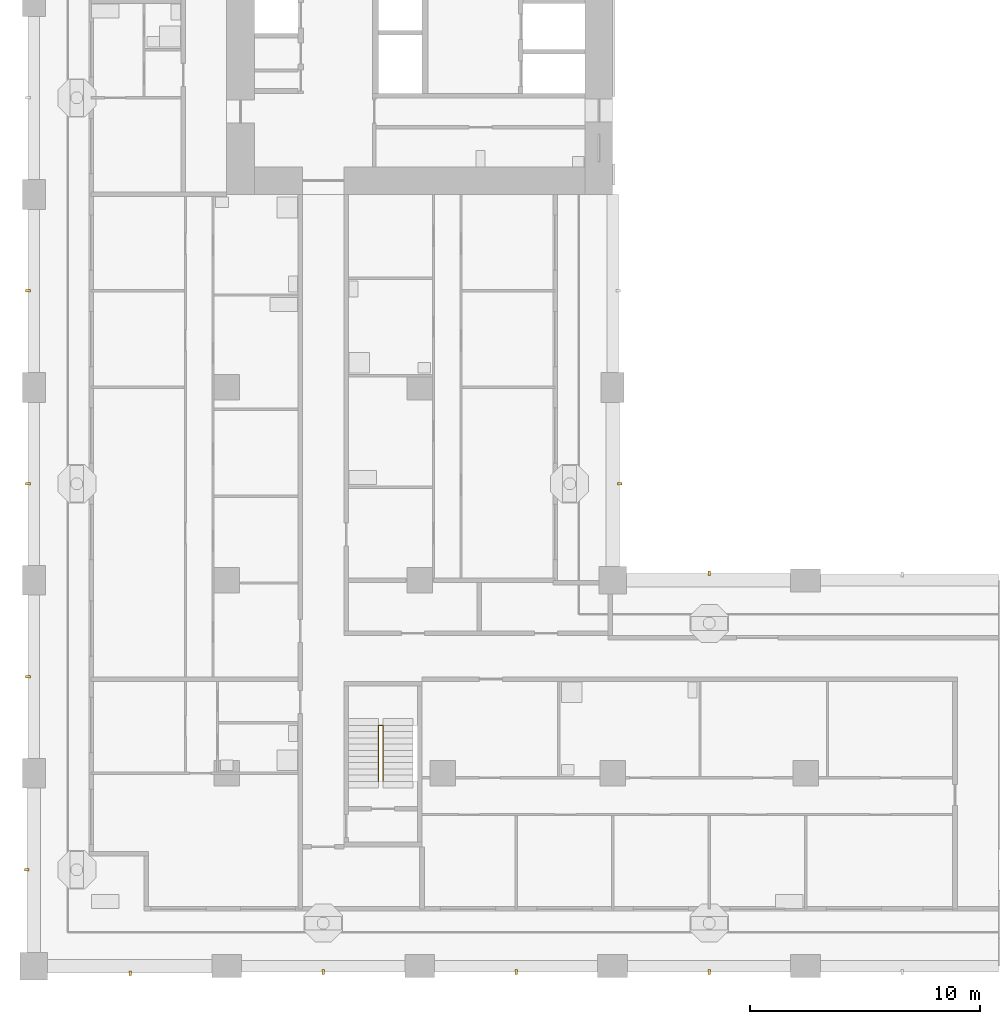
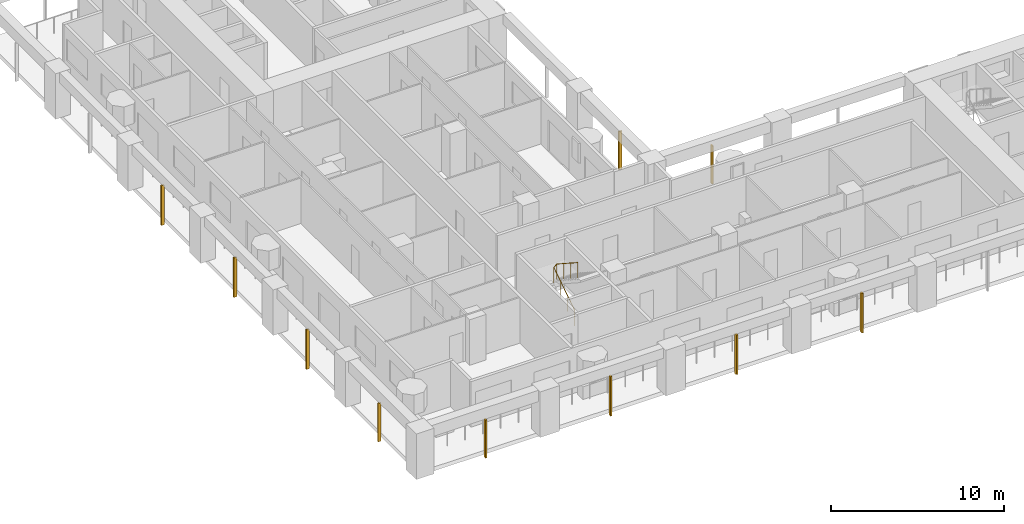
# One storey, part 9 of 18: 10 shading devices, 1 railing.
"""IFC4 building model written with IfcOpenShell, lengths in metres."""

from ifc_helpers import new_model, si_unit, direction, frame, origin, origin_2d, place, context, subcontext, project, spatial, rectangle, circle, extrude, material, material_profile, profile_set, type_object, element, save


model = new_model("IFC4")

# Units and contexts
model_context = context("Model", 3, precision=1e-05, world=origin(), true_north=direction((0.0, 1.0)))
body_context = subcontext(model_context, "Body", "Model", "MODEL_VIEW")
ifc_project = project(units=[si_unit("LENGTHUNIT", "METRE"), si_unit("AREAUNIT", "SQUARE_METRE"), si_unit("VOLUMEUNIT", "CUBIC_METRE"), si_unit("PLANEANGLEUNIT", "RADIAN"), si_unit("MASSUNIT", "GRAM", prefix="KILO")], contexts=[model_context])

# Site, building, storey
site_placement = place(None, origin())
site = spatial("IfcSite", under=ifc_project, at=site_placement, CompositionType="ELEMENT")
building_placement = place(site_placement, origin())
building = spatial("IfcBuilding", under=site, at=building_placement, Name="Vermilion Gate Residences", CompositionType="ELEMENT")
storey_placement = place(building_placement, frame((0.0, 0.0, 105.699951171875)))
storey = spatial("IfcBuildingStorey", under=building, at=storey_placement, Name="L26", CompositionType="ELEMENT", Elevation=105.699951171875)

# Railing
ifc_material_1 = material(Name="Steel S355", Category="steel")
railing_type = type_object("IfcRailingType", Name="STAIR GUARD 1100 STEEL", PredefinedType="GUARDRAIL", material=ifc_material_1)
railing_placement = place(storey_placement, frame((15.0, 16.449951171875, 0.175048828125)))
element("IfcRailing", 1, at=railing_placement, inside=storey, type_object=railing_type, Name="Stair well guard STC1-26", PredefinedType="GUARDRAIL", context=body_context, shape_type="SweptSolid", body=[
    extrude(circle(Radius=0.02392578125, at=origin_2d()), frame((0.0, 0.0, 1.076171875), z_axis=(0.0, 0.839153699163, 0.543894354798), x_axis=(-1.0, 0.0, 0.0)), (0.0, 0.0, 1.0), 2.895751953125),
    extrude(circle(Radius=0.02392578125, at=origin_2d()), frame((0.0, 2.429931640625, 2.65087890625), z_axis=(0.752405939678, 0.0, 0.658699705433), x_axis=(0.0, 1.0, 0.0)), (0.0, 0.0, 1.0), 0.265869140625),
    extrude(circle(Radius=0.02392578125, at=origin_2d()), frame((0.199951171875, 2.429931640625, 2.826171875), z_axis=(0.0, -0.839153699163, 0.543894354798), x_axis=(1.0, 0.0, 0.0)), (0.0, 0.0, 1.0), 2.895751953125),
    extrude(circle(Radius=0.02099609375, at=origin_2d()), origin(), (0.0, 0.0, 1.0), 1.052001953125),
    extrude(circle(Radius=0.02099609375, at=origin_2d()), frame((0.0, 0.81005859375, 0.52490234375)), (0.0, 0.0, 1.0), 1.052001953125),
    extrude(circle(Radius=0.02099609375, at=origin_2d()), frame((0.0, 1.619873046875, 1.050048828125)), (0.0, 0.0, 1.0), 1.052001953125),
    extrude(circle(Radius=0.02099609375, at=origin_2d()), frame((0.0, 2.429931640625, 1.574951171875)), (0.0, 0.0, 1.0), 1.052001953125),
    extrude(circle(Radius=0.02099609375, at=origin_2d()), frame((0.199951171875, 2.429931640625, 1.75)), (0.0, 0.0, 1.0), 1.052001953125),
    extrude(circle(Radius=0.02099609375, at=origin_2d()), frame((0.199951171875, 1.619873046875, 2.27490234375)), (0.0, 0.0, 1.0), 1.052001953125),
    extrude(circle(Radius=0.02099609375, at=origin_2d()), frame((0.199951171875, 0.81005859375, 2.800048828125)), (0.0, 0.0, 1.0), 1.052001953125),
    extrude(circle(Radius=0.02099609375, at=origin_2d()), frame((0.199951171875, 0.0, 3.324951171875)), (0.0, 0.0, 1.0), 1.052001953125),
])

# Shading devices
ifc_material_2 = material(Name="Extruded terracotta", Category="masonry")
ifc_material_profile = material_profile(ifc_material_2, rectangle(XDim=0.199951171875, YDim=0.10009765625, at=origin_2d()), Name="BAGUETTE 100 X 200")
ifc_profile_set = profile_set([ifc_material_profile], Name="Extruded terracotta")
shading_device_type = type_object("IfcShadingDeviceType", Name="TERRACOTTA BAGUETTE 100 X 200", PredefinedType="JALOUSIE", material=ifc_profile_set)
shading_device_placement = place(storey_placement, frame((4.199951171875, 8.10009765625, -0.280029296875), z_axis=(0.0, 0.0, 1.0), x_axis=(0.0, 1.0, 0.0)))
element("IfcShadingDevice", 2, at=shading_device_placement, inside=storey, type_object=shading_device_type, Name="BAGUETTE", PredefinedType="JALOUSIE", context=body_context, shape_type="SweptSolid", body=[
    extrude(rectangle(XDim=0.199951171875, YDim=0.10009765625, at=origin_2d()), origin(), (0.0, 0.0, 1.0), 2.7001953125),
])
for number, where, z_axis, x_axis, name in (
    (3, (12.60009765625, 8.14990234375, -0.280029296875), (0.0, 0.0, 1.0), (0.0, 1.0, 0.0), "BAGUETTE"),
    (4, (21.0, 8.14990234375, -0.280029296875), (0.0, 0.0, 1.0), (0.0, 1.0, 0.0), "BAGUETTE"),
    (5, (29.39990234375, 8.14990234375, -0.280029296875), (0.0, 0.0, 1.0), (0.0, 1.0, 0.0), "BAGUETTE"),
):
    element("IfcShadingDevice", number, at=place(storey_placement, frame(where, z_axis=z_axis, x_axis=x_axis)), inside=storey, type_object=shading_device_type, Name=name, PredefinedType="JALOUSIE", context=body_context, shape_type="SweptSolid", body=[
        extrude(rectangle(XDim=0.199951171875, YDim=0.10009765625, at=origin_2d()), origin(), (0.0, 0.0, 1.0), 2.800048828125),
    ])
for number, where, z_axis, x_axis, name in (
    (6, (29.39990234375, 25.5, -0.280029296875), (0.0, 0.0, 1.0), (0.0, -1.0, 0.0), "BAGUETTE"),
    (7, (25.5, 29.39990234375, -0.280029296875), (0.0, 0.0, 1.0), (-1.0, 0.0, 0.0), "BAGUETTE"),
    (8, (-0.300048828125, 12.60009765625, -0.280029296875), (0.0, 0.0, 1.0), (1.0, 0.0, 0.0), "BAGUETTE"),
):
    element("IfcShadingDevice", number, at=place(storey_placement, frame(where, z_axis=z_axis, x_axis=x_axis)), inside=storey, type_object=shading_device_type, Name=name, PredefinedType="JALOUSIE", context=body_context, shape_type="SweptSolid", body=[
        extrude(rectangle(XDim=0.199951171875, YDim=0.10009765625, at=origin_2d()), origin(), (0.0, 0.0, 1.0), 2.7001953125),
    ])
for number, where, z_axis, x_axis, name in (
    (9, (-0.25, 21.0, -0.280029296875), (0.0, 0.0, 1.0), (1.0, 0.0, 0.0), "BAGUETTE"),
    (10, (-0.25, 29.39990234375, -0.280029296875), (0.0, 0.0, 1.0), (1.0, 0.0, 0.0), "BAGUETTE"),
    (11, (-0.25, 37.800048828125, -0.280029296875), (0.0, 0.0, 1.0), (1.0, 0.0, 0.0), "BAGUETTE"),
):
    element("IfcShadingDevice", number, at=place(storey_placement, frame(where, z_axis=z_axis, x_axis=x_axis)), inside=storey, type_object=shading_device_type, Name=name, PredefinedType="JALOUSIE", context=body_context, shape_type="SweptSolid", body=[
        extrude(rectangle(XDim=0.199951171875, YDim=0.10009765625, at=origin_2d()), origin(), (0.0, 0.0, 1.0), 2.800048828125),
    ])

save(model, "model.ifc")
